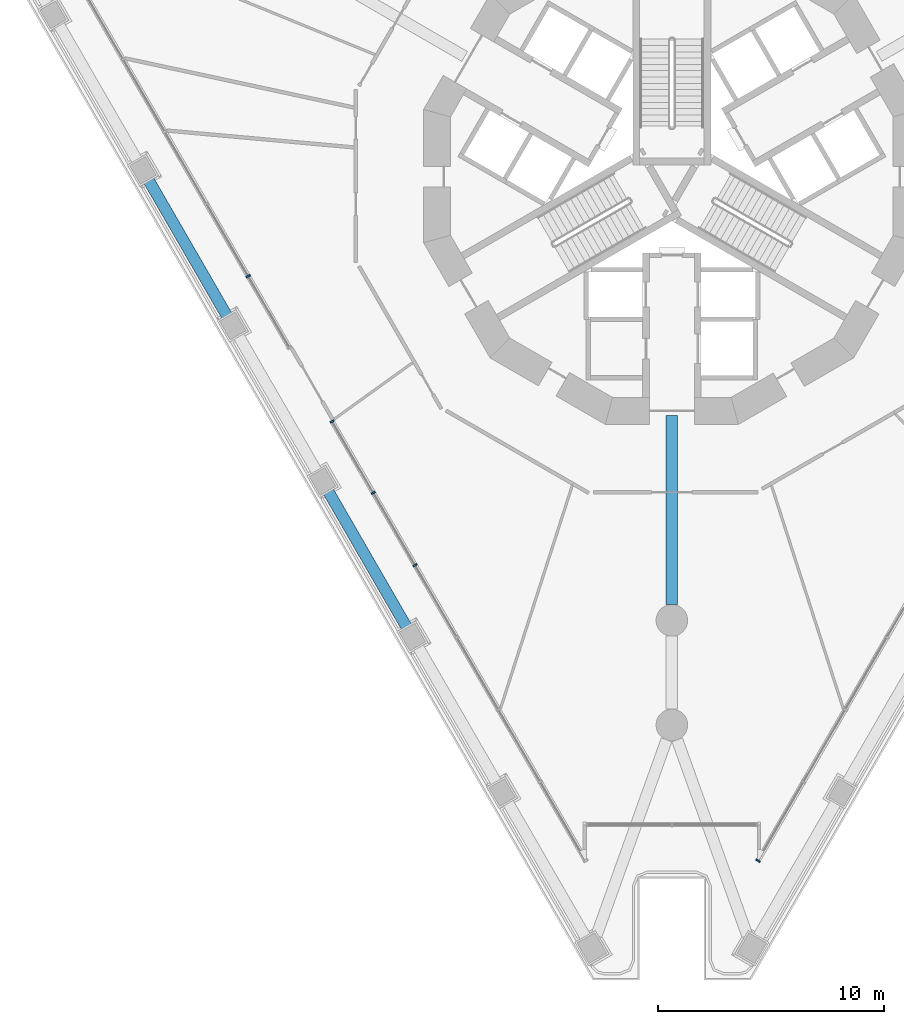
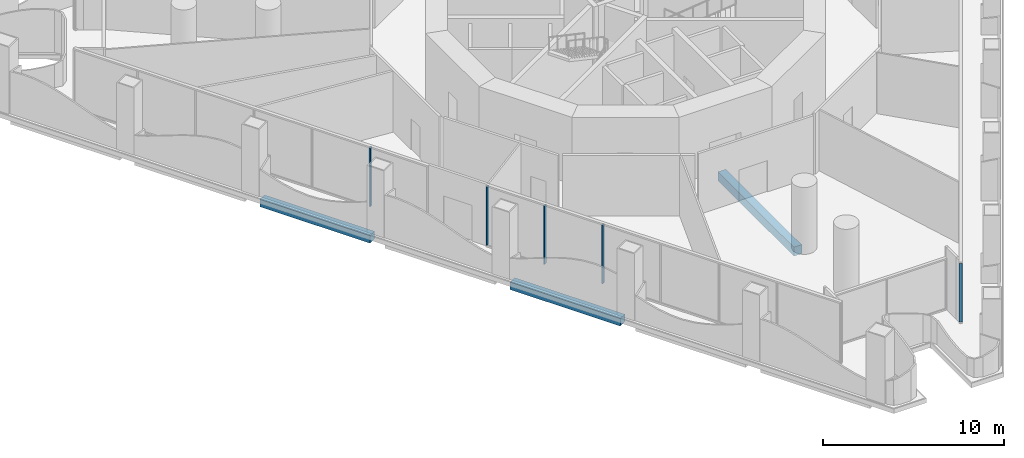
# One storey, part 3 of 21: 5 members, 3 beams, 3 elements without a shape of their own.
"""IFC4 building model written with IfcOpenShell, lengths in metres."""

from ifc_helpers import new_model, si_unit, direction, frame, origin, origin_2d, place, context, subcontext, project, spatial, rectangle, extrude, material, layer, layer_set, material_profile, profile_set, type_object, element, aggregate, save


model = new_model("IFC4")

# Units and contexts
model_context = context("Model", 3, precision=1e-05, world=origin(), true_north=direction((0.0, 1.0)))
body_context = subcontext(model_context, "Body", "Model", "MODEL_VIEW")
ifc_project = project(units=[si_unit("LENGTHUNIT", "METRE"), si_unit("AREAUNIT", "SQUARE_METRE"), si_unit("VOLUMEUNIT", "CUBIC_METRE"), si_unit("PLANEANGLEUNIT", "RADIAN"), si_unit("MASSUNIT", "GRAM", prefix="KILO")], contexts=[model_context])

# Site, building, storey
site_placement = place(None, origin())
site = spatial("IfcSite", under=ifc_project, at=site_placement, CompositionType="ELEMENT")
building_placement = place(site_placement, origin())
building = spatial("IfcBuilding", under=site, at=building_placement, Name="Trine Commons Tower", CompositionType="ELEMENT")
storey_placement = place(building_placement, frame((0.0, 0.0, 13.5)))
storey = spatial("IfcBuildingStorey", under=building, at=storey_placement, Name="L02", CompositionType="ELEMENT", Elevation=13.5)

# Curtain wall, member
ifc_material_1 = material(Name="Podium glazing: anodised aluminium frame with low-emissivity double glazed unit", Category="aluminium")
ifc_layer = layer(ifc_material_1, 0.199951171875)
ifc_layer_set = layer_set([ifc_layer], Name="Podium glazing: anodised aluminium frame with low-emissivity double glazed unit")
curtain_wall_type = type_object("IfcCurtainWallType", Name="Podium glazing curtain wall CW3", PredefinedType="NOTDEFINED", material=ifc_layer_set)
curtain_wall_1_placement = place(storey_placement, origin())
curtain_wall_1 = element("IfcCurtainWall", 1, at=curtain_wall_1_placement, inside=storey, type_object=curtain_wall_type, Name="Podium glazing L02 F2.2", PredefinedType="NOTDEFINED")
ifc_material_2 = material(Name="Anodised aluminium, bronze finish", Category="aluminium")
ifc_material_profile_1 = material_profile(ifc_material_2, rectangle(XDim=0.199951171875, YDim=0.074951171875, at=origin_2d()), Name="Mullion 75x200")
ifc_profile_set_1 = profile_set([ifc_material_profile_1], Name="Anodised aluminium, bronze finish")
member_type = type_object("IfcMemberType", Name="Mullion 75x200, Anodised aluminium, bronze finish", PredefinedType="MULLION", material=ifc_profile_set_1)
member_1_placement = place(storey_placement, frame((83.818603515625, 32.14501953125, 0.10009765625), z_axis=(0.0, 0.0, 1.0), x_axis=(0.866025403784, -0.5, 0.0)))
member_1 = element("IfcMember", 2, at=member_1_placement, type_object=member_type, Name="CW3 mullion 8.1", PredefinedType="MULLION", context=body_context, shape_type="SweptSolid", body=[
    extrude(rectangle(XDim=0.199951171875, YDim=0.074951171875, at=origin_2d()), origin(), (0.0, 0.0, 1.0), 3.949951171875),
])
aggregate(curtain_wall_1, [member_1])

# Curtain wall, members
curtain_wall_2_placement = place(storey_placement, origin())
curtain_wall_2 = element("IfcCurtainWall", 3, at=curtain_wall_2_placement, inside=storey, type_object=curtain_wall_type, Name="Podium glazing L02 F3.1", PredefinedType="NOTDEFINED")
member_2_placement = place(storey_placement, frame((68.615478515625, 45.2490234375, 0.10009765625), z_axis=(0.0, 0.0, 1.0), x_axis=(-0.866025403784, -0.5, 0.0)))
member_2 = element("IfcMember", 4, at=member_2_placement, type_object=member_type, Name="CW3 mullion 5.1", PredefinedType="MULLION", context=body_context, shape_type="SweptSolid", body=[
    extrude(rectangle(XDim=0.199951171875, YDim=0.074951171875, at=origin_2d()), origin(), (0.0, 0.0, 1.0), 3.949951171875),
])
member_3_placement = place(storey_placement, frame((66.76611328125, 48.452392578125, 0.10009765625), z_axis=(0.0, 0.0, 1.0), x_axis=(-0.866025403784, -0.5, 0.0)))
member_3 = element("IfcMember", 5, at=member_3_placement, type_object=member_type, Name="CW3 mullion 6.1", PredefinedType="MULLION", context=body_context, shape_type="SweptSolid", body=[
    extrude(rectangle(XDim=0.199951171875, YDim=0.074951171875, at=origin_2d()), origin(), (0.0, 0.0, 1.0), 3.949951171875),
])
member_4_placement = place(storey_placement, frame((64.935302734375, 51.623291015625, 0.10009765625), z_axis=(0.0, 0.0, 1.0), x_axis=(-0.866025403784, -0.5, 0.0)))
member_4 = element("IfcMember", 6, at=member_4_placement, type_object=member_type, Name="CW3 mullion 7.1", PredefinedType="MULLION", context=body_context, shape_type="SweptSolid", body=[
    extrude(rectangle(XDim=0.199951171875, YDim=0.074951171875, at=origin_2d()), origin(), (0.0, 0.0, 1.0), 3.949951171875),
])
aggregate(curtain_wall_2, [member_2, member_3, member_4])

# Curtain wall, member
curtain_wall_3_placement = place(storey_placement, origin())
curtain_wall_3 = element("IfcCurtainWall", 7, at=curtain_wall_3_placement, inside=storey, type_object=curtain_wall_type, Name="Podium glazing L02 F3.2", PredefinedType="NOTDEFINED")
member_5_placement = place(storey_placement, frame((61.2177734375, 58.0625, 0.10009765625), z_axis=(0.0, 0.0, 1.0), x_axis=(-0.866025403784, -0.5, 0.0)))
member_5 = element("IfcMember", 8, at=member_5_placement, type_object=member_type, Name="CW3 mullion 2.1", PredefinedType="MULLION", context=body_context, shape_type="SweptSolid", body=[
    extrude(rectangle(XDim=0.199951171875, YDim=0.074951171875, at=origin_2d()), origin(), (0.0, 0.0, 1.0), 3.949951171875),
])
aggregate(curtain_wall_3, [member_5])

# Beams
ifc_material_3 = material(Name="Concrete C50/60", Category="concrete")
ifc_material_profile_2 = material_profile(ifc_material_3, rectangle(XDim=0.5, YDim=0.5, at=origin_2d()), Name="RC 500x500")
ifc_profile_set_2 = profile_set([ifc_material_profile_2], Name="Concrete C50/60")
beam_type_1 = type_object("IfcBeamType", Name="RC beam 500x500, C50/60", PredefinedType="BEAM", material=ifc_profile_set_2)
for number, where, z_axis, x_axis, name in (
    (9, (68.254638671875, 42.474365234375, -0.60009765625), (-0.499991645397, 0.866030227263, 0.0), (-0.866030227263, -0.499991645397, 0.0), "Beam EB1-03 L02"),
    (10, (60.291259765625, 56.267333984375, -0.60009765625), (-0.499991645397, 0.866030227263, 0.0), (-0.866030227263, -0.499991645397, 0.0), "Beam EB1-05 L02"),
):
    element("IfcBeam", number, at=place(storey_placement, frame(where, z_axis=z_axis, x_axis=x_axis)), inside=storey, type_object=beam_type_1, Name=name, PredefinedType="BEAM", context=body_context, shape_type="SweptSolid", body=[
        extrude(rectangle(XDim=0.5, YDim=0.5, at=origin_2d()), origin(), (0.0, 0.0, 1.0), 7.01318359375),
    ])
ifc_material_profile_3 = material_profile(ifc_material_3, rectangle(XDim=0.5, YDim=0.60009765625, at=origin_2d()), Name="RC 500x600")
ifc_profile_set_3 = profile_set([ifc_material_profile_3], Name="Concrete C50/60")
beam_type_2 = type_object("IfcBeamType", Name="RC beam 500x600, C50/60", PredefinedType="BEAM", material=ifc_profile_set_3)
beam_placement = place(storey_placement, frame((80.0, 51.888427734375, -0.64990234375), z_axis=(0.0, -1.0, 0.0), x_axis=(1.0, 0.0, 0.0)))
element("IfcBeam", 11, at=beam_placement, inside=storey, type_object=beam_type_2, Name="Beam RB1-01 L02", PredefinedType="BEAM", context=body_context, shape_type="SweptSolid", body=[
    extrude(rectangle(XDim=0.5, YDim=0.60009765625, at=origin_2d()), origin(), (0.0, 0.0, 1.0), 8.385498046875),
])

save(model, "model.ifc")
